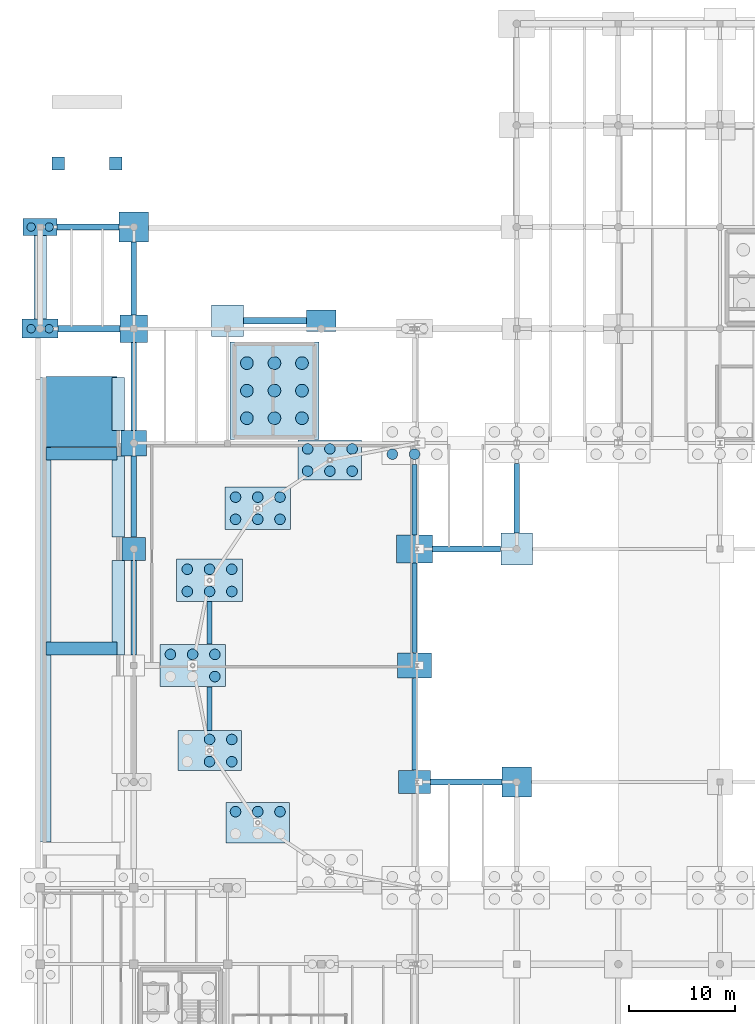
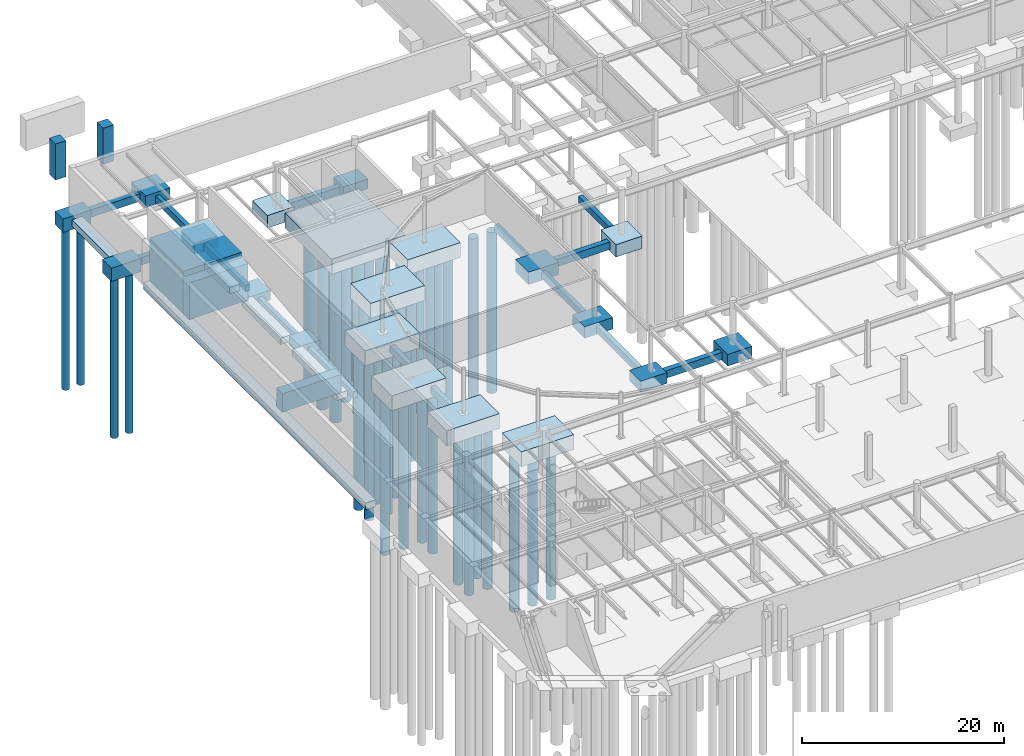
# One storey, part 5 of 50: 45 footings, 44 piles.
"""IFC4 building model written with IfcOpenShell, lengths in metres."""

from ifc_helpers import new_model, si_unit, direction, frame, origin, origin_2d, place, context, subcontext, project, spatial, polyline, rectangle, circle, outline, extrude, material, material_profile, profile_set, type_object, element, save


model = new_model("IFC4")

# Units and contexts
model_context = context("Model", 3, precision=1e-05, world=origin(), true_north=direction((0.0, 1.0)))
body_context = subcontext(model_context, "Body", "Model", "MODEL_VIEW")
ifc_project = project(units=[si_unit("LENGTHUNIT", "METRE"), si_unit("AREAUNIT", "SQUARE_METRE"), si_unit("VOLUMEUNIT", "CUBIC_METRE"), si_unit("PLANEANGLEUNIT", "RADIAN"), si_unit("MASSUNIT", "GRAM", prefix="KILO")], contexts=[model_context])

# Site, building, storey
site_placement = place(None, origin())
site = spatial("IfcSite", under=ifc_project, at=site_placement, CompositionType="ELEMENT")
building_placement = place(site_placement, origin())
building = spatial("IfcBuilding", under=site, at=building_placement, Name="Yeouljin Market Hall", CompositionType="ELEMENT")
storey_placement = place(building_placement, frame((0.0, 0.0, -5.39990234375)))
storey = spatial("IfcBuildingStorey", under=building, at=storey_placement, Name="B1", CompositionType="ELEMENT", Elevation=-5.39990234375)

# Footings
ifc_material_1 = material(Name="Concrete C35/45", Category="concrete")
ifc_material_profile_1 = material_profile(ifc_material_1, rectangle(XDim=0.5, YDim=0.800048828125, at=origin_2d()), Name="RC-500x800")
ifc_profile_set_1 = profile_set([ifc_material_profile_1], Name="Concrete C35/45")
footing_type_1 = type_object("IfcFootingType", Name="FootingBeam_500x800", PredefinedType="FOOTING_BEAM", material=ifc_profile_set_1)
footing_1_placement = place(storey_placement, frame((8.85009765625, 58.010009765625, -0.800048828125), z_axis=(0.0, 1.0, 0.0), x_axis=(-1.0, 0.0, 0.0)))
element("IfcFooting", 1, at=footing_1_placement, inside=storey, type_object=footing_type_1, Name="Foundation tie beam Y-144", PredefinedType="FOOTING_BEAM", context=body_context, shape_type="SweptSolid", body=[
    extrude(rectangle(XDim=0.5, YDim=0.800048828125, at=origin_2d()), origin(), (0.0, 0.0, 1.0), 8.8798828125),
])
footing_2_placement = place(storey_placement, frame((8.85009765625, 69.110107421875, -0.800048828125), z_axis=(0.0, 1.0, 0.0), x_axis=(-1.0, 0.0, 0.0)))
element("IfcFooting", 2, at=footing_2_placement, inside=storey, type_object=footing_type_1, Name="Foundation tie beam Y-145", PredefinedType="FOOTING_BEAM", context=body_context, shape_type="SweptSolid", body=[
    extrude(rectangle(XDim=0.5, YDim=0.800048828125, at=origin_2d()), origin(), (0.0, 0.0, 1.0), 7.679931640625),
])
footing_3_placement = place(storey_placement, frame((8.85009765625, 79.2099609375, -0.800048828125), z_axis=(0.0, 1.0, 0.0), x_axis=(-1.0, 0.0, 0.0)))
element("IfcFooting", 3, at=footing_3_placement, inside=storey, type_object=footing_type_1, Name="Foundation tie beam Y-146", PredefinedType="FOOTING_BEAM", context=body_context, shape_type="SweptSolid", body=[
    extrude(rectangle(XDim=0.5, YDim=0.800048828125, at=origin_2d()), origin(), (0.0, 0.0, 1.0), 8.280029296875),
])
footing_4_placement = place(storey_placement, frame((8.85009765625, 90.110107421875, -0.800048828125), z_axis=(0.0, 1.0, 0.0), x_axis=(-1.0, 0.0, 0.0)))
element("IfcFooting", 4, at=footing_4_placement, inside=storey, type_object=footing_type_1, Name="Foundation tie beam Y-147", PredefinedType="FOOTING_BEAM", context=body_context, shape_type="SweptSolid", body=[
    extrude(rectangle(XDim=0.5, YDim=0.800048828125, at=origin_2d()), origin(), (0.0, 0.0, 1.0), 6.8798828125),
])
footing_5_placement = place(storey_placement, frame((15.998046875, 50.8740234375, -0.800048828125), z_axis=(0.0, 1.0, 0.0), x_axis=(-1.0, 0.0, 0.0)))
element("IfcFooting", 5, at=footing_5_placement, inside=storey, type_object=footing_type_1, Name="Foundation tie beam Y-148", PredefinedType="FOOTING_BEAM", context=body_context, shape_type="SweptSolid", body=[
    extrude(rectangle(XDim=0.5, YDim=0.800048828125, at=origin_2d()), origin(), (0.0, 0.0, 1.0), 4.115966796875),
])
footing_6_placement = place(storey_placement, frame((15.998046875, 59.010009765625, -0.800048828125), z_axis=(0.0, 1.0, 0.0), x_axis=(-1.0, 0.0, 0.0)))
element("IfcFooting", 6, at=footing_6_placement, inside=storey, type_object=footing_type_1, Name="Foundation tie beam Y-149", PredefinedType="FOOTING_BEAM", context=body_context, shape_type="SweptSolid", body=[
    extrude(rectangle(XDim=0.5, YDim=0.800048828125, at=origin_2d()), origin(), (0.0, 0.0, 1.0), 4.015869140625),
])
footing_7_placement = place(storey_placement, frame((35.360107421875, 47.110107421875, -0.800048828125), z_axis=(0.0, 1.0, 0.0), x_axis=(-1.0, 0.0, 0.0)))
element("IfcFooting", 7, at=footing_7_placement, inside=storey, type_object=footing_type_1, Name="Foundation tie beam Y-159", PredefinedType="FOOTING_BEAM", context=body_context, shape_type="SweptSolid", body=[
    extrude(rectangle(XDim=0.5, YDim=0.800048828125, at=origin_2d()), origin(), (0.0, 0.0, 1.0), 8.679931640625),
])
footing_8_placement = place(storey_placement, frame((35.360107421875, 58.2099609375, -0.800048828125), z_axis=(0.0, 1.0, 0.0), x_axis=(-1.0, 0.0, 0.0)))
element("IfcFooting", 8, at=footing_8_placement, inside=storey, type_object=footing_type_1, Name="Foundation tie beam Y-160", PredefinedType="FOOTING_BEAM", context=body_context, shape_type="SweptSolid", body=[
    extrude(rectangle(XDim=0.5, YDim=0.800048828125, at=origin_2d()), origin(), (0.0, 0.0, 1.0), 8.47998046875),
])
footing_9_placement = place(storey_placement, frame((35.360107421875, 69.31005859375, -0.800048828125), z_axis=(0.0, 1.0, 0.0), x_axis=(-1.0, 0.0, 0.0)))
element("IfcFooting", 9, at=footing_9_placement, inside=storey, type_object=footing_type_1, Name="Foundation tie beam Y-161", PredefinedType="FOOTING_BEAM", context=body_context, shape_type="SweptSolid", body=[
    extrude(rectangle(XDim=0.5, YDim=0.800048828125, at=origin_2d()), origin(), (0.0, 0.0, 1.0), 6.679931640625),
])
footing_10_placement = place(storey_placement, frame((45.0, 69.510009765625, -0.800048828125), z_axis=(0.0, 1.0, 0.0), x_axis=(-1.0, 0.0, 0.0)))
element("IfcFooting", 10, at=footing_10_placement, inside=storey, type_object=footing_type_1, Name="Foundation tie beam Y-168", PredefinedType="FOOTING_BEAM", context=body_context, shape_type="SweptSolid", body=[
    extrude(rectangle(XDim=0.5, YDim=0.800048828125, at=origin_2d()), origin(), (0.0, 0.0, 1.0), 6.580078125),
])
ifc_material_2 = material(Name="Concrete C35/45", Category="concrete")
ifc_material_profile_2 = material_profile(ifc_material_2, rectangle(XDim=0.60009765625, YDim=0.89990234375, at=origin_2d()), Name="RC-600x900")
ifc_profile_set_2 = profile_set([ifc_material_profile_2], Name="Concrete C35/45")
footing_type_2 = type_object("IfcFootingType", Name="FootingBeam_600x900", PredefinedType="FOOTING_BEAM", material=ifc_profile_set_2)
footing_11_placement = place(storey_placement, frame((36.8701171875, 46.0, -0.85009765625), z_axis=(1.0, 0.0, 0.0), x_axis=(0.0, 1.0, 0.0)))
element("IfcFooting", 11, at=footing_11_placement, inside=storey, type_object=footing_type_2, Name="Foundation tie beam X-082", PredefinedType="FOOTING_BEAM", context=body_context, shape_type="SweptSolid", body=[
    extrude(rectangle(XDim=0.60009765625, YDim=0.89990234375, at=origin_2d()), origin(), (0.0, 0.0, 1.0), 6.719970703125),
])
footing_12_placement = place(storey_placement, frame((37.070068359375, 68.0, -0.85009765625), z_axis=(1.0, 0.0, 0.0), x_axis=(0.0, 1.0, 0.0)))
element("IfcFooting", 12, at=footing_12_placement, inside=storey, type_object=footing_type_2, Name="Foundation tie beam X-089", PredefinedType="FOOTING_BEAM", context=body_context, shape_type="SweptSolid", body=[
    extrude(rectangle(XDim=0.60009765625, YDim=0.89990234375, at=origin_2d()), origin(), (0.0, 0.0, 1.0), 6.419921875),
])
footing_13_placement = place(storey_placement, frame((1.7099609375, 88.800048828125, -0.85009765625), z_axis=(1.0, 0.0, 0.0), x_axis=(0.0, 1.0, 0.0)))
element("IfcFooting", 13, at=footing_13_placement, inside=storey, type_object=footing_type_2, Name="Foundation tie beam X-105", PredefinedType="FOOTING_BEAM", context=body_context, shape_type="SweptSolid", body=[
    extrude(rectangle(XDim=0.60009765625, YDim=0.89990234375, at=origin_2d()), origin(), (0.0, 0.0, 1.0), 5.830078125),
])
footing_14_placement = place(storey_placement, frame((19.2099609375, 89.550048828125, -0.85009765625), z_axis=(1.0, 0.0, 0.0), x_axis=(0.0, 1.0, 0.0)))
element("IfcFooting", 14, at=footing_14_placement, inside=storey, type_object=footing_type_2, Name="Foundation tie beam X-112", PredefinedType="FOOTING_BEAM", context=body_context, shape_type="SweptSolid", body=[
    extrude(rectangle(XDim=0.60009765625, YDim=0.89990234375, at=origin_2d()), origin(), (0.0, 0.0, 1.0), 5.929931640625),
])
footing_15_placement = place(storey_placement, frame((1.610107421875, 98.39990234375, -0.85009765625), z_axis=(1.0, 0.0, 0.0), x_axis=(0.0, 1.0, 0.0)))
element("IfcFooting", 15, at=footing_15_placement, inside=storey, type_object=footing_type_2, Name="Foundation tie beam X-114", PredefinedType="FOOTING_BEAM", context=body_context, shape_type="SweptSolid", body=[
    extrude(rectangle(XDim=0.60009765625, YDim=0.89990234375, at=origin_2d()), origin(), (0.0, 0.0, 1.0), 5.829833984375),
])
ifc_material_3 = material(Name="Concrete C35/45", Category="concrete")
footing_type_3 = type_object("IfcFootingType", Name="PadFooting_2200x2200x1100", PredefinedType="PAD_FOOTING", material=ifc_material_3)
footing_16_placement = place(storey_placement, frame((0.0, 0.0, -1.10009765625)))
element("IfcFooting", 16, at=footing_16_placement, inside=storey, type_object=footing_type_3, Name="Pile cap FPAD-002", PredefinedType="PAD_FOOTING", context=body_context, shape_type="SweptSolid", body=[
    extrude(outline(polyline([(7.75, 66.89990234375), (9.949951171875, 66.89990234375), (9.949951171875, 69.10009765625), (7.75, 69.10009765625), (7.75, 66.89990234375)])), origin(), (0.0, 0.0, 1.0), 1.10009765625),
])
ifc_material_4 = material(Name="Concrete C35/45", Category="concrete")
footing_type_4 = type_object("IfcFootingType", Name="PadFooting_2400x2400x1200", PredefinedType="PAD_FOOTING", material=ifc_material_4)
footing_17_placement = place(storey_placement, frame((0.0, 0.0, -1.2001953125)))
element("IfcFooting", 17, at=footing_17_placement, inside=storey, type_object=footing_type_4, Name="Pile cap FPAD-003", PredefinedType="PAD_FOOTING", context=body_context, shape_type="SweptSolid", body=[
    extrude(outline(polyline([(7.64990234375, 76.800048828125), (10.050048828125, 76.800048828125), (10.050048828125, 79.199951171875), (7.64990234375, 79.199951171875), (7.64990234375, 76.800048828125)])), origin(), (0.0, 0.0, 1.0), 1.2001953125),
])
ifc_material_5 = material(Name="Concrete C35/45", Category="concrete")
footing_type_5 = type_object("IfcFootingType", Name="PadFooting_2600x2600x1300", PredefinedType="PAD_FOOTING", material=ifc_material_5)
footing_18_placement = place(storey_placement, frame((0.0, 0.0, -1.300048828125)))
element("IfcFooting", 18, at=footing_18_placement, inside=storey, type_object=footing_type_5, Name="Pile cap FPAD-004", PredefinedType="PAD_FOOTING", context=body_context, shape_type="SweptSolid", body=[
    extrude(outline(polyline([(7.550048828125, 87.5), (10.14990234375, 87.5), (10.14990234375, 90.10009765625), (7.550048828125, 90.10009765625), (7.550048828125, 87.5)])), origin(), (0.0, 0.0, 1.0), 1.300048828125),
])
ifc_material_6 = material(Name="Concrete C35/45", Category="concrete")
footing_type_6 = type_object("IfcFootingType", Name="PadFooting_2800x2000x1200", PredefinedType="PAD_FOOTING", material=ifc_material_6)
footing_19_placement = place(storey_placement, frame((0.0, 0.0, -1.2001953125)))
element("IfcFooting", 19, at=footing_19_placement, inside=storey, type_object=footing_type_6, Name="Pile cap FPAD-007", PredefinedType="PAD_FOOTING", context=body_context, shape_type="SweptSolid", body=[
    extrude(outline(polyline([(25.14990234375, 88.550048828125), (27.949951171875, 88.550048828125), (27.949951171875, 90.550048828125), (25.14990234375, 90.550048828125), (25.14990234375, 88.550048828125)])), origin(), (0.0, 0.0, 1.0), 1.2001953125),
])
ifc_material_7 = material(Name="Concrete C35/45", Category="concrete")
footing_type_7 = type_object("IfcFootingType", Name="PadFooting_2800x2800x1400", PredefinedType="PAD_FOOTING", material=ifc_material_7)
footing_20_placement = place(storey_placement, frame((0.0, 0.0, -1.400146484375)))
element("IfcFooting", 20, at=footing_20_placement, inside=storey, type_object=footing_type_7, Name="Pile cap FPAD-005", PredefinedType="PAD_FOOTING", context=body_context, shape_type="SweptSolid", body=[
    extrude(outline(polyline([(7.449951171875, 97.0), (10.25, 97.0), (10.25, 99.800048828125), (7.449951171875, 99.800048828125), (7.449951171875, 97.0)])), origin(), (0.0, 0.0, 1.0), 1.400146484375),
])
footing_21_placement = place(storey_placement, frame((0.0, 0.0, -1.400146484375)))
element("IfcFooting", 21, at=footing_21_placement, inside=storey, type_object=footing_type_7, Name="Pile cap FPAD-015", PredefinedType="PAD_FOOTING", context=body_context, shape_type="SweptSolid", body=[
    extrude(outline(polyline([(43.60009765625, 44.60009765625), (46.39990234375, 44.60009765625), (46.39990234375, 47.39990234375), (43.60009765625, 47.39990234375), (43.60009765625, 44.60009765625)])), origin(), (0.0, 0.0, 1.0), 1.400146484375),
])
ifc_material_8 = material(Name="Concrete C35/45", Category="concrete")
footing_type_8 = type_object("IfcFootingType", Name="PadFooting_3000x2200x1300", PredefinedType="PAD_FOOTING", material=ifc_material_8)
footing_22_placement = place(storey_placement, frame((0.0, 0.0, -1.300048828125)))
element("IfcFooting", 22, at=footing_22_placement, inside=storey, type_object=footing_type_8, Name="Pile cap FPAD-008", PredefinedType="PAD_FOOTING", context=body_context, shape_type="SweptSolid", body=[
    extrude(outline(polyline([(33.860107421875, 44.89990234375), (36.860107421875, 44.89990234375), (36.860107421875, 47.10009765625), (33.860107421875, 47.10009765625), (33.860107421875, 44.89990234375)])), origin(), (0.0, 0.0, 1.0), 1.300048828125),
])
ifc_material_9 = material(Name="Concrete C35/45", Category="concrete")
footing_type_9 = type_object("IfcFootingType", Name="PadFooting_3000x3000x1500", PredefinedType="PAD_FOOTING", material=ifc_material_9)
footing_23_placement = place(storey_placement, frame((0.0, 0.0, -1.5)))
element("IfcFooting", 23, at=footing_23_placement, inside=storey, type_object=footing_type_9, Name="Pile cap FPAD-006", PredefinedType="PAD_FOOTING", context=body_context, shape_type="SweptSolid", body=[
    extrude(outline(polyline([(16.199951171875, 88.050048828125), (19.199951171875, 88.050048828125), (19.199951171875, 91.050048828125), (16.199951171875, 91.050048828125), (16.199951171875, 88.050048828125)])), origin(), (0.0, 0.0, 1.0), 1.5),
])
footing_24_placement = place(storey_placement, frame((0.0, 0.0, -1.5)))
element("IfcFooting", 24, at=footing_24_placement, inside=storey, type_object=footing_type_9, Name="Pile cap FPAD-016", PredefinedType="PAD_FOOTING", context=body_context, shape_type="SweptSolid", body=[
    extrude(outline(polyline([(43.5, 66.5), (46.5, 66.5), (46.5, 69.5), (43.5, 69.5), (43.5, 66.5)])), origin(), (0.0, 0.0, 1.0), 1.5),
])
ifc_material_10 = material(Name="Concrete C35/45", Category="concrete")
footing_type_10 = type_object("IfcFootingType", Name="PadFooting_3200x2400x1400", PredefinedType="PAD_FOOTING", material=ifc_material_10)
footing_25_placement = place(storey_placement, frame((0.0, 0.0, -1.400146484375)))
element("IfcFooting", 25, at=footing_25_placement, inside=storey, type_object=footing_type_10, Name="Pile cap FPAD-009", PredefinedType="PAD_FOOTING", context=body_context, shape_type="SweptSolid", body=[
    extrude(outline(polyline([(33.760009765625, 55.800048828125), (36.9599609375, 55.800048828125), (36.9599609375, 58.199951171875), (33.760009765625, 58.199951171875), (33.760009765625, 55.800048828125)])), origin(), (0.0, 0.0, 1.0), 1.400146484375),
])
ifc_material_11 = material(Name="Concrete C35/45", Category="concrete")
footing_type_11 = type_object("IfcFootingType", Name="PadFooting_3400x2600x1500", PredefinedType="PAD_FOOTING", material=ifc_material_11)
footing_26_placement = place(storey_placement, frame((0.0, 0.0, -1.5)))
element("IfcFooting", 26, at=footing_26_placement, inside=storey, type_object=footing_type_11, Name="Pile cap FPAD-010", PredefinedType="PAD_FOOTING", context=body_context, shape_type="SweptSolid", body=[
    extrude(outline(polyline([(33.659912109375, 66.699951171875), (37.06005859375, 66.699951171875), (37.06005859375, 69.300048828125), (33.659912109375, 69.300048828125), (33.659912109375, 66.699951171875)])), origin(), (0.0, 0.0, 1.0), 1.5),
])
ifc_material_12 = material(Name="Concrete C35/45", Category="concrete")
footing_type_12 = type_object("IfcFootingType", Name="PierFooting_Apron_1200x1200x4360", PredefinedType="PAD_FOOTING", material=ifc_material_12)
footing_27_placement = place(storey_placement, origin())
element("IfcFooting", 27, at=footing_27_placement, inside=storey, type_object=footing_type_12, Name="Service apron ramp mid pier 1", PredefinedType="PAD_FOOTING", context=body_context, shape_type="SweptSolid", body=[
    extrude(outline(polyline([(1.10009765625, 103.800048828125), (2.300048828125, 103.800048828125), (2.300048828125, 105.0), (1.10009765625, 105.0), (1.10009765625, 103.800048828125)])), origin(), (0.0, 0.0, 1.0), 4.35986328125),
])
footing_28_placement = place(storey_placement, origin())
element("IfcFooting", 28, at=footing_28_placement, inside=storey, type_object=footing_type_12, Name="Service apron ramp mid pier 2", PredefinedType="PAD_FOOTING", context=body_context, shape_type="SweptSolid", body=[
    extrude(outline(polyline([(6.550048828125, 103.800048828125), (7.75, 103.800048828125), (7.75, 105.0), (6.550048828125, 105.0), (6.550048828125, 103.800048828125)])), origin(), (0.0, 0.0, 1.0), 4.35986328125),
])
ifc_material_13 = material(Name="Concrete C35/45", Category="concrete")
footing_type_13 = type_object("IfcFootingType", Name="PierFooting_Veh_6700x1200x2200", PredefinedType="PAD_FOOTING", material=ifc_material_13)
footing_29_placement = place(storey_placement, origin())
element("IfcFooting", 29, at=footing_29_placement, inside=storey, type_object=footing_type_13, Name="Vehicular ramp support pier 2", PredefinedType="PAD_FOOTING", context=body_context, shape_type="SweptSolid", body=[
    extrude(outline(polyline([(0.550048828125, 58.0), (7.25, 58.0), (7.25, 59.199951171875), (0.550048828125, 59.199951171875), (0.550048828125, 58.0)])), origin(), (0.0, 0.0, 1.0), 2.199951171875),
])
ifc_material_14 = material(Name="Concrete C35/45", Category="concrete")
footing_type_14 = type_object("IfcFootingType", Name="PierFooting_Veh_6700x1200x4420", PredefinedType="PAD_FOOTING", material=ifc_material_14)
footing_30_placement = place(storey_placement, origin())
element("IfcFooting", 30, at=footing_30_placement, inside=storey, type_object=footing_type_14, Name="Vehicular ramp support pier 3", PredefinedType="PAD_FOOTING", context=body_context, shape_type="SweptSolid", body=[
    extrude(outline(polyline([(0.550048828125, 76.39990234375), (7.25, 76.39990234375), (7.25, 77.60009765625), (0.550048828125, 77.60009765625), (0.550048828125, 76.39990234375)])), origin(), (0.0, 0.0, 1.0), 4.419921875),
])
ifc_material_15 = material(Name="Concrete C35/45", Category="concrete")
footing_type_15 = type_object("IfcFootingType", Name="PierFooting_Veh_6700x6700x5060", PredefinedType="PAD_FOOTING", material=ifc_material_15)
footing_31_placement = place(storey_placement, origin())
element("IfcFooting", 31, at=footing_31_placement, inside=storey, type_object=footing_type_15, Name="Vehicular ramp support pier 4", PredefinedType="PAD_FOOTING", context=body_context, shape_type="SweptSolid", body=[
    extrude(outline(polyline([(0.550048828125, 77.610107421875), (7.25, 77.610107421875), (7.25, 84.31005859375), (0.550048828125, 84.31005859375), (0.550048828125, 77.610107421875)])), origin(), (0.0, 0.0, 1.0), 5.059814453125),
])
ifc_material_16 = material(Name="Concrete C35/45", Category="concrete")
footing_type_16 = type_object("IfcFootingType", Name="PileCap_2P_3200x1600x1600", PredefinedType="PILE_CAP", material=ifc_material_16)
footing_32_placement = place(storey_placement, frame((0.0, 0.0, -1.60009765625)))
element("IfcFooting", 32, at=footing_32_placement, inside=storey, type_object=footing_type_16, Name="Pile cap FCAP-C006", PredefinedType="PILE_CAP", context=body_context, shape_type="SweptSolid", body=[
    extrude(outline(polyline([(-1.60009765625, 97.60009765625), (1.60009765625, 97.60009765625), (1.60009765625, 99.199951171875), (-1.60009765625, 99.199951171875), (-1.60009765625, 97.60009765625)])), origin(), (0.0, 0.0, 1.0), 1.60009765625),
])
ifc_material_17 = material(Name="Concrete C35/45", Category="concrete")
footing_type_17 = type_object("IfcFootingType", Name="PileCap_2P_3400x1800x1600", PredefinedType="PILE_CAP", material=ifc_material_17)
footing_33_placement = place(storey_placement, frame((0.0, 0.0, -1.60009765625)))
element("IfcFooting", 33, at=footing_33_placement, inside=storey, type_object=footing_type_17, Name="Pile cap FCAP-C005", PredefinedType="PILE_CAP", context=body_context, shape_type="SweptSolid", body=[
    extrude(outline(polyline([(-1.699951171875, 87.89990234375), (1.699951171875, 87.89990234375), (1.699951171875, 89.699951171875), (-1.699951171875, 89.699951171875), (-1.699951171875, 87.89990234375)])), origin(), (0.0, 0.0, 1.0), 1.60009765625),
])
ifc_material_18 = material(Name="Concrete C35/45", Category="concrete")
footing_type_18 = type_object("IfcFootingType", Name="PileCap_6P_6000x3800x1800", PredefinedType="PILE_CAP", material=ifc_material_18)
footing_34_placement = place(storey_placement, frame((0.0, 0.0, -1.800048828125)))
element("IfcFooting", 34, at=footing_34_placement, inside=storey, type_object=footing_type_18, Name="Pile cap FCAP-C019", PredefinedType="PILE_CAP", context=body_context, shape_type="SweptSolid", body=[
    extrude(outline(polyline([(12.998046875, 47.06396484375), (18.998046875, 47.06396484375), (18.998046875, 50.864013671875), (12.998046875, 50.864013671875), (12.998046875, 47.06396484375)])), origin(), (0.0, 0.0, 1.0), 1.800048828125),
])
footing_35_placement = place(storey_placement, frame((0.0, 0.0, -1.800048828125)))
element("IfcFooting", 35, at=footing_35_placement, inside=storey, type_object=footing_type_18, Name="Pile cap FCAP-C028", PredefinedType="PILE_CAP", context=body_context, shape_type="SweptSolid", body=[
    extrude(outline(polyline([(17.551025390625, 40.2509765625), (23.551025390625, 40.2509765625), (23.551025390625, 44.051025390625), (17.551025390625, 44.051025390625), (17.551025390625, 40.2509765625)])), origin(), (0.0, 0.0, 1.0), 1.800048828125),
])
footing_36_placement = place(storey_placement, frame((0.0, 0.0, -1.800048828125)))
element("IfcFooting", 36, at=footing_36_placement, inside=storey, type_object=footing_type_18, Name="Pile cap FCAP-C036", PredefinedType="PILE_CAP", context=body_context, shape_type="SweptSolid", body=[
    extrude(outline(polyline([(24.364013671875, 74.5009765625), (30.364013671875, 74.5009765625), (30.364013671875, 78.301025390625), (24.364013671875, 78.301025390625), (24.364013671875, 74.5009765625)])), origin(), (0.0, 0.0, 1.0), 1.800048828125),
])
ifc_material_19 = material(Name="Concrete C35/45", Category="concrete")
footing_type_19 = type_object("IfcFootingType", Name="PileCap_6P_6200x4000x1800", PredefinedType="PILE_CAP", material=ifc_material_19)
footing_37_placement = place(storey_placement, frame((0.0, 0.0, -1.800048828125)))
element("IfcFooting", 37, at=footing_37_placement, inside=storey, type_object=footing_type_19, Name="Pile cap FCAP-C018", PredefinedType="PILE_CAP", context=body_context, shape_type="SweptSolid", body=[
    extrude(outline(polyline([(11.300048828125, 55.0), (17.5, 55.0), (17.5, 59.0), (11.300048828125, 59.0), (11.300048828125, 55.0)])), origin(), (0.0, 0.0, 1.0), 1.800048828125),
])
footing_38_placement = place(storey_placement, frame((0.0, 0.0, -1.800048828125)))
element("IfcFooting", 38, at=footing_38_placement, inside=storey, type_object=footing_type_19, Name="Pile cap FCAP-C020", PredefinedType="PILE_CAP", context=body_context, shape_type="SweptSolid", body=[
    extrude(outline(polyline([(12.89794921875, 63.035888671875), (19.097900390625, 63.035888671875), (19.097900390625, 67.035888671875), (12.89794921875, 67.035888671875), (12.89794921875, 63.035888671875)])), origin(), (0.0, 0.0, 1.0), 1.800048828125),
])
footing_39_placement = place(storey_placement, frame((0.0, 0.0, -1.800048828125)))
element("IfcFooting", 39, at=footing_39_placement, inside=storey, type_object=footing_type_19, Name="Pile cap FCAP-C029", PredefinedType="PILE_CAP", context=body_context, shape_type="SweptSolid", body=[
    extrude(outline(polyline([(17.450927734375, 69.84912109375), (23.65087890625, 69.84912109375), (23.65087890625, 73.84912109375), (17.450927734375, 73.84912109375), (17.450927734375, 69.84912109375)])), origin(), (0.0, 0.0, 1.0), 1.800048828125),
])
ifc_material_20 = material(Name="Concrete C35/45", Category="concrete")
footing_type_20 = type_object("IfcFootingType", Name="PileCap_9P_8400x9200x1800", PredefinedType="PILE_CAP", material=ifc_material_20)
footing_40_placement = place(storey_placement, frame((0.0, 0.0, -1.800048828125)))
element("IfcFooting", 40, at=footing_40_placement, inside=storey, type_object=footing_type_20, Name="Core C2 foundation mat", PredefinedType="PILE_CAP", context=body_context, shape_type="SweptSolid", body=[
    extrude(outline(polyline([(17.925048828125, 78.35009765625), (26.324951171875, 78.35009765625), (26.324951171875, 87.550048828125), (17.925048828125, 87.550048828125), (17.925048828125, 78.35009765625)])), origin(), (0.0, 0.0, 1.0), 1.800048828125),
])

# Piles
ifc_material_21 = material(Name="Concrete C35/45", Category="concrete")
ifc_material_profile_3 = material_profile(ifc_material_21, circle(Radius=0.5, at=origin_2d()), Name="PILE-D1000")
ifc_profile_set_3 = profile_set([ifc_material_profile_3], Name="Concrete C35/45")
pile_type_1 = type_object("IfcPileType", Name="Pile_PILE-D1000", PredefinedType="BORED", material=ifc_profile_set_3)
for number, where, z_axis, x_axis, name in (
    (41, (12.300048828125, 58.050048828125, -1.7001953125), (0.0, 0.0, -1.0), (1.0, 0.0, 0.0), "Bored pile 094"),
    (42, (14.39990234375, 58.050048828125, -1.7001953125), (0.0, 0.0, -1.0), (1.0, 0.0, 0.0), "Bored pile 096"),
    (43, (16.5, 55.949951171875, -1.7001953125), (0.0, 0.0, -1.0), (1.0, 0.0, 0.0), "Bored pile 097"),
    (44, (16.5, 58.050048828125, -1.7001953125), (0.0, 0.0, -1.0), (1.0, 0.0, 0.0), "Bored pile 098"),
    (45, (15.998046875, 47.9140625, -1.7001953125), (0.0, 0.0, -1.0), (1.0, 0.0, 0.0), "Bored pile 101"),
    (46, (15.998046875, 50.013916015625, -1.7001953125), (0.0, 0.0, -1.0), (1.0, 0.0, 0.0), "Bored pile 102"),
    (47, (18.097900390625, 47.9140625, -1.7001953125), (0.0, 0.0, -1.0), (1.0, 0.0, 0.0), "Bored pile 103"),
    (48, (18.097900390625, 50.013916015625, -1.7001953125), (0.0, 0.0, -1.0), (1.0, 0.0, 0.0), "Bored pile 104"),
    (49, (13.89794921875, 63.986083984375, -1.7001953125), (0.0, 0.0, -1.0), (1.0, 0.0, 0.0), "Bored pile 105"),
    (50, (13.89794921875, 66.0859375, -1.7001953125), (0.0, 0.0, -1.0), (1.0, 0.0, 0.0), "Bored pile 106"),
    (51, (15.998046875, 63.986083984375, -1.7001953125), (0.0, 0.0, -1.0), (1.0, 0.0, 0.0), "Bored pile 107"),
    (52, (15.998046875, 66.0859375, -1.7001953125), (0.0, 0.0, -1.0), (1.0, 0.0, 0.0), "Bored pile 108"),
    (53, (18.097900390625, 63.986083984375, -1.7001953125), (0.0, 0.0, -1.0), (1.0, 0.0, 0.0), "Bored pile 109"),
    (54, (18.097900390625, 66.0859375, -1.7001953125), (0.0, 0.0, -1.0), (1.0, 0.0, 0.0), "Bored pile 110"),
    (55, (18.450927734375, 43.200927734375, -1.7001953125), (0.0, 0.0, -1.0), (1.0, 0.0, 0.0), "Bored pile 122"),
    (56, (20.551025390625, 43.200927734375, -1.7001953125), (0.0, 0.0, -1.0), (1.0, 0.0, 0.0), "Bored pile 124"),
    (57, (22.65087890625, 43.200927734375, -1.7001953125), (0.0, 0.0, -1.0), (1.0, 0.0, 0.0), "Bored pile 126"),
    (58, (18.450927734375, 70.799072265625, -1.7001953125), (0.0, 0.0, -1.0), (1.0, 0.0, 0.0), "Bored pile 127"),
    (59, (18.450927734375, 72.89892578125, -1.7001953125), (0.0, 0.0, -1.0), (1.0, 0.0, 0.0), "Bored pile 128"),
    (60, (20.551025390625, 70.799072265625, -1.7001953125), (0.0, 0.0, -1.0), (1.0, 0.0, 0.0), "Bored pile 129"),
    (61, (20.551025390625, 72.89892578125, -1.7001953125), (0.0, 0.0, -1.0), (1.0, 0.0, 0.0), "Bored pile 130"),
    (62, (22.65087890625, 70.799072265625, -1.7001953125), (0.0, 0.0, -1.0), (1.0, 0.0, 0.0), "Bored pile 131"),
    (63, (22.65087890625, 72.89892578125, -1.7001953125), (0.0, 0.0, -1.0), (1.0, 0.0, 0.0), "Bored pile 132"),
    (64, (25.263916015625, 75.35107421875, -1.7001953125), (0.0, 0.0, -1.0), (1.0, 0.0, 0.0), "Bored pile 147"),
    (65, (25.263916015625, 77.450927734375, -1.7001953125), (0.0, 0.0, -1.0), (1.0, 0.0, 0.0), "Bored pile 148"),
    (66, (27.364013671875, 75.35107421875, -1.7001953125), (0.0, 0.0, -1.0), (1.0, 0.0, 0.0), "Bored pile 149"),
    (67, (27.364013671875, 77.450927734375, -1.7001953125), (0.0, 0.0, -1.0), (1.0, 0.0, 0.0), "Bored pile 150"),
    (68, (29.464111328125, 75.35107421875, -1.7001953125), (0.0, 0.0, -1.0), (1.0, 0.0, 0.0), "Bored pile 151"),
    (69, (29.464111328125, 77.450927734375, -1.7001953125), (0.0, 0.0, -1.0), (1.0, 0.0, 0.0), "Bored pile 152"),
    (70, (33.260009765625, 76.949951171875, -1.7001953125), (0.0, 0.0, -1.0), (1.0, 0.0, 0.0), "Bored pile 167"),
    (71, (35.360107421875, 76.949951171875, -1.7001953125), (0.0, 0.0, -1.0), (1.0, 0.0, 0.0), "Bored pile 169"),
):
    element("IfcPile", number, at=place(storey_placement, frame(where, z_axis=z_axis, x_axis=x_axis)), inside=storey, type_object=pile_type_1, Name=name, PredefinedType="BORED", context=body_context, shape_type="SweptSolid", body=[
        extrude(circle(Radius=0.5, at=origin_2d()), origin(), (0.0, 0.0, 1.0), 19.39990234375),
    ])
ifc_material_22 = material(Name="Concrete C35/45", Category="concrete")
ifc_material_profile_4 = material_profile(ifc_material_22, circle(Radius=0.60009765625, at=origin_2d()), Name="PILE-D1200")
ifc_profile_set_4 = profile_set([ifc_material_profile_4], Name="Concrete C35/45")
pile_type_2 = type_object("IfcPileType", Name="Pile_PILE-D1200", PredefinedType="BORED", material=ifc_profile_set_4)
for number, where, z_axis, x_axis, name in (
    (72, (19.52490234375, 80.35009765625, -1.7001953125), (0.0, 0.0, -1.0), (1.0, 0.0, 0.0), "Bored pile 010"),
    (73, (19.52490234375, 82.949951171875, -1.7001953125), (0.0, 0.0, -1.0), (1.0, 0.0, 0.0), "Bored pile 011"),
    (74, (19.52490234375, 85.550048828125, -1.7001953125), (0.0, 0.0, -1.0), (1.0, 0.0, 0.0), "Bored pile 012"),
    (75, (22.125, 80.35009765625, -1.7001953125), (0.0, 0.0, -1.0), (1.0, 0.0, 0.0), "Bored pile 013"),
    (76, (22.125, 82.949951171875, -1.7001953125), (0.0, 0.0, -1.0), (1.0, 0.0, 0.0), "Bored pile 014"),
    (77, (22.125, 85.550048828125, -1.7001953125), (0.0, 0.0, -1.0), (1.0, 0.0, 0.0), "Bored pile 015"),
    (78, (24.72509765625, 80.35009765625, -1.7001953125), (0.0, 0.0, -1.0), (1.0, 0.0, 0.0), "Bored pile 016"),
    (79, (24.72509765625, 82.949951171875, -1.7001953125), (0.0, 0.0, -1.0), (1.0, 0.0, 0.0), "Bored pile 017"),
    (80, (24.72509765625, 85.550048828125, -1.7001953125), (0.0, 0.0, -1.0), (1.0, 0.0, 0.0), "Bored pile 018"),
):
    element("IfcPile", number, at=place(storey_placement, frame(where, z_axis=z_axis, x_axis=x_axis)), inside=storey, type_object=pile_type_2, Name=name, PredefinedType="BORED", context=body_context, shape_type="SweptSolid", body=[
        extrude(circle(Radius=0.60009765625, at=origin_2d()), origin(), (0.0, 0.0, 1.0), 19.39990234375),
    ])
ifc_material_23 = material(Name="Concrete C35/45", Category="concrete")
ifc_material_profile_5 = material_profile(ifc_material_23, circle(Radius=0.39990234375, at=origin_2d()), Name="PILE-D800")
ifc_profile_set_5 = profile_set([ifc_material_profile_5], Name="Concrete C35/45")
pile_type_3 = type_object("IfcPileType", Name="Pile_PILE-D800", PredefinedType="BORED", material=ifc_profile_set_5)
for number, where, z_axis, x_axis, name in (
    (81, (-0.85009765625, 88.800048828125, -1.5), (0.0, 0.0, -1.0), (1.0, 0.0, 0.0), "Bored pile 075"),
    (82, (0.85009765625, 88.800048828125, -1.5), (0.0, 0.0, -1.0), (1.0, 0.0, 0.0), "Bored pile 076"),
    (83, (-0.85009765625, 98.39990234375, -1.5), (0.0, 0.0, -1.0), (1.0, 0.0, 0.0), "Bored pile 077"),
    (84, (0.85009765625, 98.39990234375, -1.5), (0.0, 0.0, -1.0), (1.0, 0.0, 0.0), "Bored pile 078"),
):
    element("IfcPile", number, at=place(storey_placement, frame(where, z_axis=z_axis, x_axis=x_axis)), inside=storey, type_object=pile_type_3, Name=name, PredefinedType="BORED", context=body_context, shape_type="SweptSolid", body=[
        extrude(circle(Radius=0.39990234375, at=origin_2d()), origin(), (0.0, 0.0, 1.0), 19.60009765625),
    ])

# Footings
ifc_material_24 = material(Name="Concrete C35/45", Category="concrete")
ifc_material_profile_6 = material_profile(ifc_material_24, rectangle(XDim=1.199951171875, YDim=0.800048828125, at=origin_2d()), Name="SF-1200x800")
ifc_profile_set_6 = profile_set([ifc_material_profile_6], Name="Concrete C35/45")
footing_type_21 = type_object("IfcFootingType", Name="StripFooting_1200x800", PredefinedType="STRIP_FOOTING", material=ifc_profile_set_6)
footing_41_placement = place(storey_placement, frame((0.0, 89.7099609375, -0.800048828125), z_axis=(0.0, 1.0, 0.0), x_axis=(-1.0, 0.0, 0.0)))
element("IfcFooting", 85, at=footing_41_placement, inside=storey, type_object=footing_type_21, Name="Foundation tie beam Y-140", PredefinedType="STRIP_FOOTING", context=body_context, shape_type="SweptSolid", body=[
    extrude(rectangle(XDim=1.199951171875, YDim=0.800048828125, at=origin_2d()), origin(), (0.0, 0.0, 1.0), 7.880126953125),
])
footing_42_placement = place(storey_placement, frame((0.419921875, 40.31005859375, -0.400146484375), z_axis=(0.0, 1.0, 0.0), x_axis=(-1.0, 0.0, 0.0)))
element("IfcFooting", 86, at=footing_42_placement, inside=storey, type_object=footing_type_21, Name="Vehicular ramp west retaining wall strip footing 1", PredefinedType="STRIP_FOOTING", context=body_context, shape_type="SweptSolid", body=[
    extrude(rectangle(XDim=1.199951171875, YDim=0.800048828125, at=origin_2d()), origin(), (0.0, 0.0, 1.0), 43.889892578125),
])
footing_43_placement = place(storey_placement, frame((7.3798828125, 58.010009765625, -0.400146484375), z_axis=(0.0, 1.0, 0.0), x_axis=(-1.0, 0.0, 0.0)))
element("IfcFooting", 87, at=footing_43_placement, inside=storey, type_object=footing_type_21, Name="Vehicular ramp east retaining wall strip footing 3", PredefinedType="STRIP_FOOTING", context=body_context, shape_type="SweptSolid", body=[
    extrude(rectangle(XDim=1.199951171875, YDim=0.800048828125, at=origin_2d()), origin(), (0.0, 0.0, 1.0), 8.8798828125),
])
footing_44_placement = place(storey_placement, frame((7.3798828125, 69.110107421875, -0.400146484375), z_axis=(0.0, 1.0, 0.0), x_axis=(-1.0, 0.0, 0.0)))
element("IfcFooting", 88, at=footing_44_placement, inside=storey, type_object=footing_type_21, Name="Vehicular ramp east retaining wall strip footing 4", PredefinedType="STRIP_FOOTING", context=body_context, shape_type="SweptSolid", body=[
    extrude(rectangle(XDim=1.199951171875, YDim=0.800048828125, at=origin_2d()), origin(), (0.0, 0.0, 1.0), 7.679931640625),
])
footing_45_placement = place(storey_placement, frame((7.3798828125, 79.2099609375, -0.400146484375), z_axis=(0.0, 1.0, 0.0), x_axis=(-1.0, 0.0, 0.0)))
element("IfcFooting", 89, at=footing_45_placement, inside=storey, type_object=footing_type_21, Name="Vehicular ramp east retaining wall strip footing 5", PredefinedType="STRIP_FOOTING", context=body_context, shape_type="SweptSolid", body=[
    extrude(rectangle(XDim=1.199951171875, YDim=0.800048828125, at=origin_2d()), origin(), (0.0, 0.0, 1.0), 4.989990234375),
])

save(model, "model.ifc")
